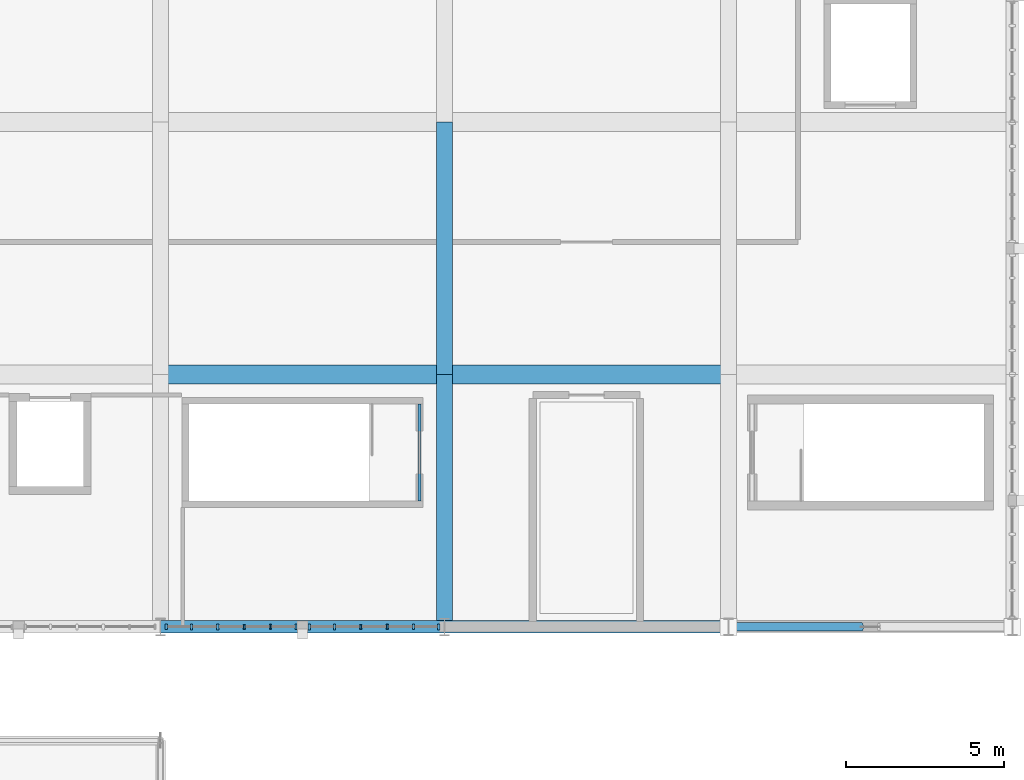
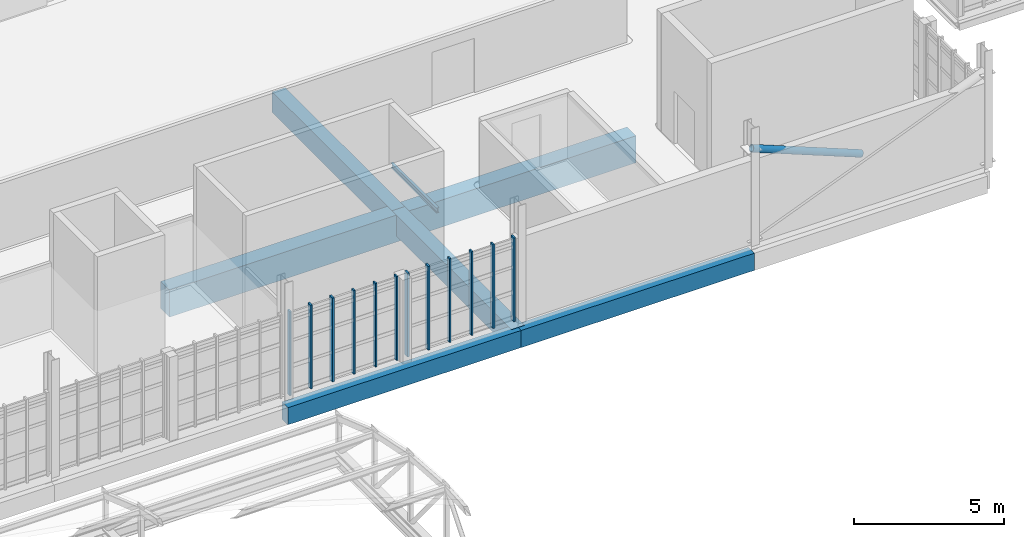
# One storey, part 22 of 128: 13 members, 7 beams, 2 elements without a shape of their own.
"""IFC4 building model written with IfcOpenShell, lengths in metres."""

from ifc_helpers import new_model, si_unit, direction, frame, origin, origin_2d, place, context, subcontext, project, spatial, rectangle, hollow_circle, i_section, extrude, material, material_profile, profile_set, type_object, element, aggregate, save


model = new_model("IFC4")

# Units and contexts
model_context = context("Model", 3, precision=1e-05, world=origin(), true_north=direction((0.0, 1.0)))
body_context = subcontext(model_context, "Body", "Model", "MODEL_VIEW")
ifc_project = project(units=[si_unit("LENGTHUNIT", "METRE"), si_unit("AREAUNIT", "SQUARE_METRE"), si_unit("VOLUMEUNIT", "CUBIC_METRE"), si_unit("PLANEANGLEUNIT", "RADIAN"), si_unit("MASSUNIT", "GRAM", prefix="KILO")], contexts=[model_context])

# Site, building, storey
site_placement = place(None, origin())
site = spatial("IfcSite", under=ifc_project, at=site_placement, CompositionType="ELEMENT")
building_placement = place(site_placement, origin())
building = spatial("IfcBuilding", under=site, at=building_placement, Name="Serraforn Aerial Cableway Station", CompositionType="ELEMENT")
storey_placement = place(building_placement, frame((0.0, 0.0, 9.0)))
storey = spatial("IfcBuildingStorey", under=building, at=storey_placement, Name="L02", CompositionType="ELEMENT", Elevation=9.0)

# Beams
ifc_material_1 = material(Name="Concrete C35/45", Category="concrete")
ifc_material_profile_1 = material_profile(ifc_material_1, rectangle(XDim=0.39990234375, YDim=0.699951171875, at=origin_2d()), Name="RC 400x700")
ifc_profile_set_1 = profile_set([ifc_material_profile_1], Name="Concrete C35/45")
beam_type_1 = type_object("IfcBeamType", Name="BM-RC-400x700E", PredefinedType="SPANDREL", material=ifc_profile_set_1)
for number, where, z_axis, x_axis, name in (
    (1, (63.60009765625, 18.0, -0.7099609375), (1.0, 0.0, 0.0), (0.0, 1.0, 0.0), "Grid Girder X CV L02 Y1-5"),
    (2, (72.60009765625, 18.0, -0.7099609375), (1.0, 0.0, 0.0), (0.0, 1.0, 0.0), "Grid Girder X CV L02 Y1-6"),
):
    element("IfcBeam", number, at=place(storey_placement, frame(where, z_axis=z_axis, x_axis=x_axis)), inside=storey, type_object=beam_type_1, Name=name, PredefinedType="SPANDREL", context=body_context, shape_type="SweptSolid", body=[
        extrude(rectangle(XDim=0.39990234375, YDim=0.699951171875, at=origin_2d()), origin(), (0.0, 0.0, 1.0), 9.0),
    ])
ifc_material_profile_2 = material_profile(ifc_material_1, rectangle(XDim=0.5, YDim=0.85009765625, at=origin_2d()), Name="RC 500x850")
ifc_profile_set_2 = profile_set([ifc_material_profile_2], Name="Concrete C35/45")
beam_type_2 = type_object("IfcBeamType", Name="BM-RC-500x850", PredefinedType="USERDEFINED", material=ifc_profile_set_2)
for number, where, z_axis, x_axis, name in (
    (3, (72.60009765625, 18.0, -0.784912109375), (0.0, 1.0, 0.0), (-1.0, 0.0, 0.0), "Grid Girder Y CV L02 X6-1"),
    (4, (72.60009765625, 26.0, -0.784912109375), (0.0, 1.0, 0.0), (-1.0, 0.0, 0.0), "Grid Girder Y CV L02 X6-2"),
):
    element("IfcBeam", number, at=place(storey_placement, frame(where, z_axis=z_axis, x_axis=x_axis)), inside=storey, type_object=beam_type_2, Name=name, ObjectType="GIRDER", PredefinedType="USERDEFINED", context=body_context, shape_type="SweptSolid", body=[
        extrude(rectangle(XDim=0.5, YDim=0.85009765625, at=origin_2d()), origin(), (0.0, 0.0, 1.0), 8.0),
    ])
ifc_material_2 = material(Name="Concrete C40/50", Category="concrete")
ifc_material_profile_3 = material_profile(ifc_material_2, rectangle(XDim=0.60009765625, YDim=1.10009765625, at=origin_2d()), Name="RC 600x1100")
ifc_profile_set_3 = profile_set([ifc_material_profile_3], Name="Concrete C40/50")
beam_type_3 = type_object("IfcBeamType", Name="BM-RC-600x1100", PredefinedType="USERDEFINED", material=ifc_profile_set_3)
for number, where, z_axis, x_axis, name in (
    (5, (63.60009765625, 26.0, -0.909912109375), (1.0, 0.0, 0.0), (0.0, 1.0, 0.0), "Grid Girder X CV L02 Y2-5"),
    (6, (72.60009765625, 26.0, -0.909912109375), (1.0, 0.0, 0.0), (0.0, 1.0, 0.0), "Grid Girder X CV L02 Y2-6"),
):
    element("IfcBeam", number, at=place(storey_placement, frame(where, z_axis=z_axis, x_axis=x_axis)), inside=storey, type_object=beam_type_3, Name=name, ObjectType="GIRDER", PredefinedType="USERDEFINED", context=body_context, shape_type="SweptSolid", body=[
        extrude(rectangle(XDim=0.60009765625, YDim=1.10009765625, at=origin_2d()), origin(), (0.0, 0.0, 1.0), 9.0),
    ])
ifc_material_3 = material(Name="Steel S355JR", Category="steel")
ifc_material_profile_4 = material_profile(ifc_material_3, i_section(OverallWidth=0.10009765625, OverallDepth=0.199951171875, WebThickness=0.005615234375, FlangeThickness=0.008544921875, FilletRadius=0.011962890625, at=origin_2d()), Name="IPE 200")
ifc_profile_set_4 = profile_set([ifc_material_profile_4], Name="Steel S355JR")
beam_type_4 = type_object("IfcBeamType", Name="BM-ST-IPE200", PredefinedType="LINTEL", material=ifc_profile_set_4)
beam_placement = place(storey_placement, frame((71.81005859375, 25.06005859375, 2.27490234375), z_axis=(0.0, -1.0, 0.0), x_axis=(1.0, 0.0, 0.0)))
element("IfcBeam", 7, at=beam_placement, inside=storey, type_object=beam_type_4, Name="Stair Core Door Lintel D-S25", PredefinedType="LINTEL", context=body_context, shape_type="SweptSolid", body=[
    extrude(i_section(OverallWidth=0.10009765625, OverallDepth=0.199951171875, WebThickness=0.005615234375, FlangeThickness=0.008544921875, FilletRadius=0.011962890625, at=origin_2d()), origin(), (0.0, 0.0, 1.0), 3.06005859375),
])

# Curtain wall, member
ifc_material_4 = material(Name="Anodised bronze unitised curtain wall")
curtain_wall_type_1 = type_object("IfcCurtainWallType", Name="CW-SYS-23", PredefinedType="USERDEFINED", material=ifc_material_4)
curtain_wall_1_placement = place(storey_placement, origin())
curtain_wall_1 = element("IfcCurtainWall", 8, at=curtain_wall_1_placement, inside=storey, type_object=curtain_wall_type_1, Name="Unitised Curtain Wall CW-CV-L02-S5A", ObjectType="UNITISED CURTAIN WALL", PredefinedType="USERDEFINED")
ifc_material_5 = material(Name="Anodised bronze extruded aluminium", Category="aluminium")
ifc_material_profile_5 = material_profile(ifc_material_5, rectangle(XDim=0.054931640625, YDim=0.139892578125, at=origin_2d()), Name="CW MULLION 55x140")
ifc_profile_set_5 = profile_set([ifc_material_profile_5], Name="Anodised bronze extruded aluminium")
member_type_1 = type_object("IfcMemberType", Name="CW-MUL-1", PredefinedType="MULLION", material=ifc_profile_set_5)
member_1_placement = place(storey_placement, frame((66.251220703125, 18.0, 0.0), z_axis=(0.0, 0.0, 1.0), x_axis=(1.0, 0.0, 0.0)))
member_1 = element("IfcMember", 9, at=member_1_placement, type_object=member_type_1, Name="Curtain Wall Mullion CW-CV-L02-S5A-M4", PredefinedType="MULLION", context=body_context, shape_type="SweptSolid", body=[
    extrude(rectangle(XDim=0.054931640625, YDim=0.139892578125, at=origin_2d()), origin(), (0.0, 0.0, 1.0), 3.419921875),
])

curtain_wall_type_2 = type_object("IfcCurtainWallType", Name="CW-SYS-24", PredefinedType="USERDEFINED", material=ifc_material_4)
curtain_wall_2_placement = place(storey_placement, origin())
curtain_wall_2 = element("IfcCurtainWall", 10, at=curtain_wall_2_placement, inside=storey, type_object=curtain_wall_type_2, Name="Unitised Curtain Wall CW-CV-L02-S5B", ObjectType="UNITISED CURTAIN WALL", PredefinedType="USERDEFINED")
member_2_placement = place(storey_placement, frame((69.94873046875, 18.0, 0.0), z_axis=(0.0, 0.0, 1.0), x_axis=(1.0, 0.0, 0.0)))
member_2 = element("IfcMember", 11, at=member_2_placement, type_object=member_type_1, Name="Curtain Wall Mullion CW-CV-L02-S5B-M3", PredefinedType="MULLION", context=body_context, shape_type="SweptSolid", body=[
    extrude(rectangle(XDim=0.054931640625, YDim=0.139892578125, at=origin_2d()), origin(), (0.0, 0.0, 1.0), 3.419921875),
])

# Member
ifc_material_profile_6 = material_profile(ifc_material_5, rectangle(XDim=0.06005859375, YDim=0.159912109375, at=origin_2d()), Name="CW MULLION 60x160")
ifc_profile_set_6 = profile_set([ifc_material_profile_6], Name="Anodised bronze extruded aluminium")
member_type_2 = type_object("IfcMemberType", Name="CW-MUL-2", PredefinedType="MULLION", material=ifc_profile_set_6)
member_3_placement = place(storey_placement, frame((67.085693359375, 18.0, 0.0), z_axis=(0.0, 0.0, 1.0), x_axis=(1.0, 0.0, 0.0)))
member_3 = element("IfcMember", 12, at=member_3_placement, type_object=member_type_2, Name="Curtain Wall Mullion CW-CV-L02-S5A-M5", PredefinedType="MULLION", context=body_context, shape_type="SweptSolid", body=[
    extrude(rectangle(XDim=0.06005859375, YDim=0.159912109375, at=origin_2d()), origin(), (0.0, 0.0, 1.0), 3.419921875),
])

member_4_placement = place(storey_placement, frame((70.783203125, 18.0, 0.0), z_axis=(0.0, 0.0, 1.0), x_axis=(1.0, 0.0, 0.0)))
member_4 = element("IfcMember", 13, at=member_4_placement, type_object=member_type_2, Name="Curtain Wall Mullion CW-CV-L02-S5B-M4", PredefinedType="MULLION", context=body_context, shape_type="SweptSolid", body=[
    extrude(rectangle(XDim=0.06005859375, YDim=0.159912109375, at=origin_2d()), origin(), (0.0, 0.0, 1.0), 3.419921875),
])

ifc_material_profile_7 = material_profile(ifc_material_5, rectangle(XDim=0.06494140625, YDim=0.175048828125, at=origin_2d()), Name="CW MULLION 65x175")
ifc_profile_set_7 = profile_set([ifc_material_profile_7], Name="Anodised bronze extruded aluminium")
member_type_3 = type_object("IfcMemberType", Name="CW-MUL-3", PredefinedType="MULLION", material=ifc_profile_set_7)
member_5_placement = place(storey_placement, frame((63.780517578125, 18.0, 0.0), z_axis=(0.0, 0.0, 1.0), x_axis=(1.0, 0.0, 0.0)))
member_5 = element("IfcMember", 14, at=member_5_placement, type_object=member_type_3, Name="Curtain Wall Mullion CW-CV-L02-S5A-M1", PredefinedType="MULLION", context=body_context, shape_type="SweptSolid", body=[
    extrude(rectangle(XDim=0.06494140625, YDim=0.175048828125, at=origin_2d()), origin(), (0.0, 0.0, 1.0), 3.419921875),
])

member_6_placement = place(storey_placement, frame((67.887451171875, 18.0, 0.0), z_axis=(0.0, 0.0, 1.0), x_axis=(1.0, 0.0, 0.0)))
member_6 = element("IfcMember", 15, at=member_6_placement, type_object=member_type_3, Name="Curtain Wall Mullion CW-CV-L02-S5A-M6", PredefinedType="MULLION", context=body_context, shape_type="SweptSolid", body=[
    extrude(rectangle(XDim=0.06494140625, YDim=0.175048828125, at=origin_2d()), origin(), (0.0, 0.0, 1.0), 3.419921875),
])

member_7_placement = place(storey_placement, frame((71.61767578125, 18.0, 0.0), z_axis=(0.0, 0.0, 1.0), x_axis=(1.0, 0.0, 0.0)))
member_7 = element("IfcMember", 16, at=member_7_placement, type_object=member_type_3, Name="Curtain Wall Mullion CW-CV-L02-S5B-M5", PredefinedType="MULLION", context=body_context, shape_type="SweptSolid", body=[
    extrude(rectangle(XDim=0.06494140625, YDim=0.175048828125, at=origin_2d()), origin(), (0.0, 0.0, 1.0), 3.419921875),
])

ifc_material_profile_8 = material_profile(ifc_material_5, rectangle(XDim=0.070068359375, YDim=0.18994140625, at=origin_2d()), Name="CW MULLION 70x190")
ifc_profile_set_8 = profile_set([ifc_material_profile_8], Name="Anodised bronze extruded aluminium")
member_type_4 = type_object("IfcMemberType", Name="CW-MUL-4", PredefinedType="MULLION", material=ifc_profile_set_8)
member_8_placement = place(storey_placement, frame((64.58251953125, 18.0, 0.0), z_axis=(0.0, 0.0, 1.0), x_axis=(1.0, 0.0, 0.0)))
member_8 = element("IfcMember", 17, at=member_8_placement, type_object=member_type_4, Name="Curtain Wall Mullion CW-CV-L02-S5A-M2", PredefinedType="MULLION", context=body_context, shape_type="SweptSolid", body=[
    extrude(rectangle(XDim=0.070068359375, YDim=0.18994140625, at=origin_2d()), origin(), (0.0, 0.0, 1.0), 3.419921875),
])

member_9_placement = place(storey_placement, frame((68.31494140625, 18.0, 0.0), z_axis=(0.0, 0.0, 1.0), x_axis=(1.0, 0.0, 0.0)))
member_9 = element("IfcMember", 18, at=member_9_placement, type_object=member_type_4, Name="Curtain Wall Mullion CW-CV-L02-S5B-M1", PredefinedType="MULLION", context=body_context, shape_type="SweptSolid", body=[
    extrude(rectangle(XDim=0.070068359375, YDim=0.18994140625, at=origin_2d()), origin(), (0.0, 0.0, 1.0), 3.419921875),
])

member_10_placement = place(storey_placement, frame((72.4169921875, 18.0, 0.0), z_axis=(0.0, 0.0, 1.0), x_axis=(1.0, 0.0, 0.0)))
member_10 = element("IfcMember", 19, at=member_10_placement, type_object=member_type_4, Name="Curtain Wall Mullion CW-CV-L02-S5B-M6", PredefinedType="MULLION", context=body_context, shape_type="SweptSolid", body=[
    extrude(rectangle(XDim=0.070068359375, YDim=0.18994140625, at=origin_2d()), origin(), (0.0, 0.0, 1.0), 3.419921875),
])

ifc_material_profile_9 = material_profile(ifc_material_5, rectangle(XDim=0.074951171875, YDim=0.199951171875, at=origin_2d()), Name="CW MULLION 75x200")
ifc_profile_set_9 = profile_set([ifc_material_profile_9], Name="Anodised bronze extruded aluminium")
member_type_5 = type_object("IfcMemberType", Name="CW-MUL-5", PredefinedType="MULLION", material=ifc_profile_set_9)
member_11_placement = place(storey_placement, frame((65.416748046875, 18.0, 0.0), z_axis=(0.0, 0.0, 1.0), x_axis=(1.0, 0.0, 0.0)))
member_11 = element("IfcMember", 20, at=member_11_placement, type_object=member_type_5, Name="Curtain Wall Mullion CW-CV-L02-S5A-M3", PredefinedType="MULLION", context=body_context, shape_type="SweptSolid", body=[
    extrude(rectangle(XDim=0.074951171875, YDim=0.199951171875, at=origin_2d()), origin(), (0.0, 0.0, 1.0), 3.419921875),
])

aggregate(curtain_wall_1, [member_5, member_8, member_11, member_1, member_3, member_6])

member_12_placement = place(storey_placement, frame((69.114501953125, 18.0, 0.0), z_axis=(0.0, 0.0, 1.0), x_axis=(1.0, 0.0, 0.0)))
member_12 = element("IfcMember", 21, at=member_12_placement, type_object=member_type_5, Name="Curtain Wall Mullion CW-CV-L02-S5B-M2", PredefinedType="MULLION", context=body_context, shape_type="SweptSolid", body=[
    extrude(rectangle(XDim=0.074951171875, YDim=0.199951171875, at=origin_2d()), origin(), (0.0, 0.0, 1.0), 3.419921875),
])

aggregate(curtain_wall_2, [member_9, member_12, member_2, member_4, member_7, member_10])

ifc_material_6 = material(Name="Steel S355J2", Category="steel")
ifc_material_profile_10 = material_profile(ifc_material_6, hollow_circle(Radius=0.136474609375, WallThickness=0.012451171875, at=origin_2d()), Name="CHS 273.0x12.5")
ifc_profile_set_10 = profile_set([ifc_material_profile_10], Name="Steel S355J2")
member_type_6 = type_object("IfcMemberType", Name="MEM-WB-CHS273", PredefinedType="BRACE", material=ifc_profile_set_10)
member_13_placement = place(storey_placement, frame((81.60009765625, 18.0, 3.800048828125), z_axis=(0.9284656033, 0.0, -0.371418394117), x_axis=(0.0, 1.0, 0.0)))
element("IfcMember", 22, at=member_13_placement, inside=storey, type_object=member_type_6, Name="Split X-Brace Upper Segment 2-1", PredefinedType="BRACE", context=body_context, shape_type="SweptSolid", body=[
    extrude(hollow_circle(Radius=0.136474609375, WallThickness=0.012451171875, at=origin_2d()), origin(), (0.0, 0.0, 1.0), 4.555908203125),
])

save(model, "model.ifc")
